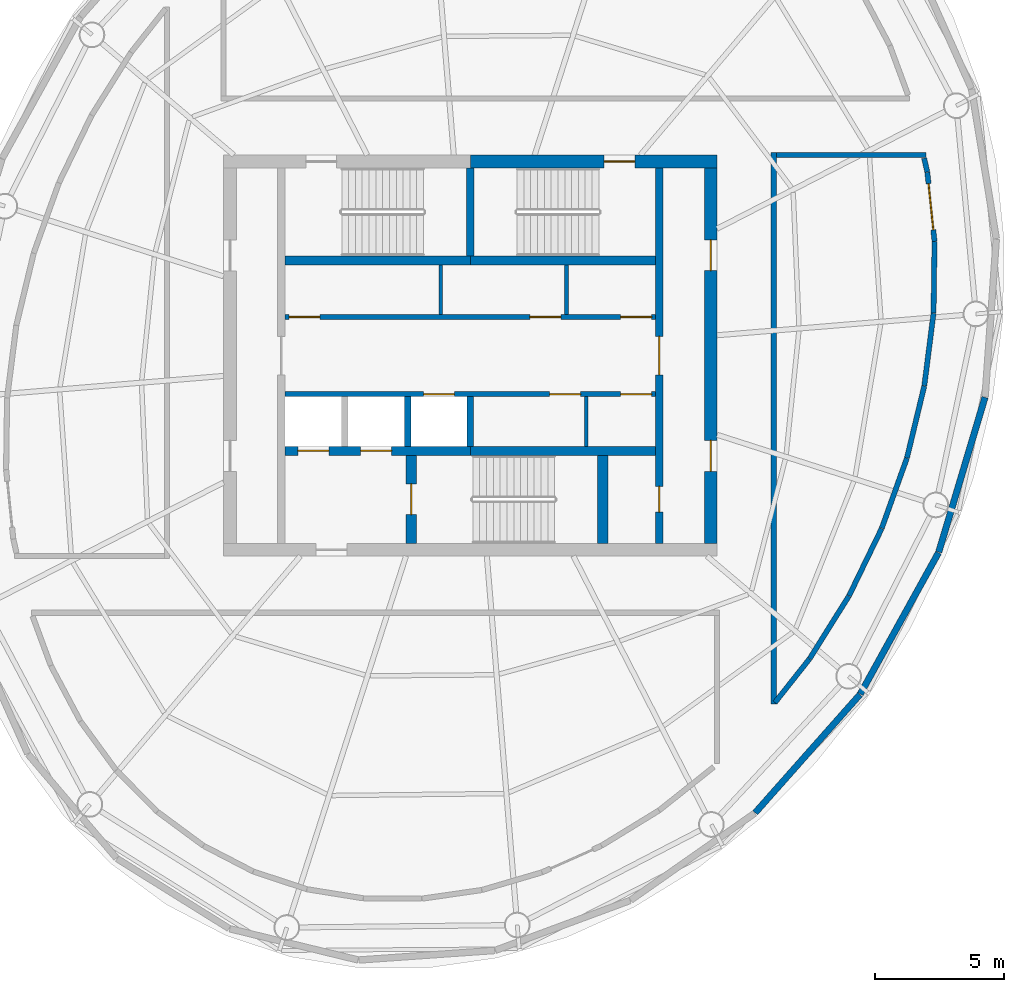
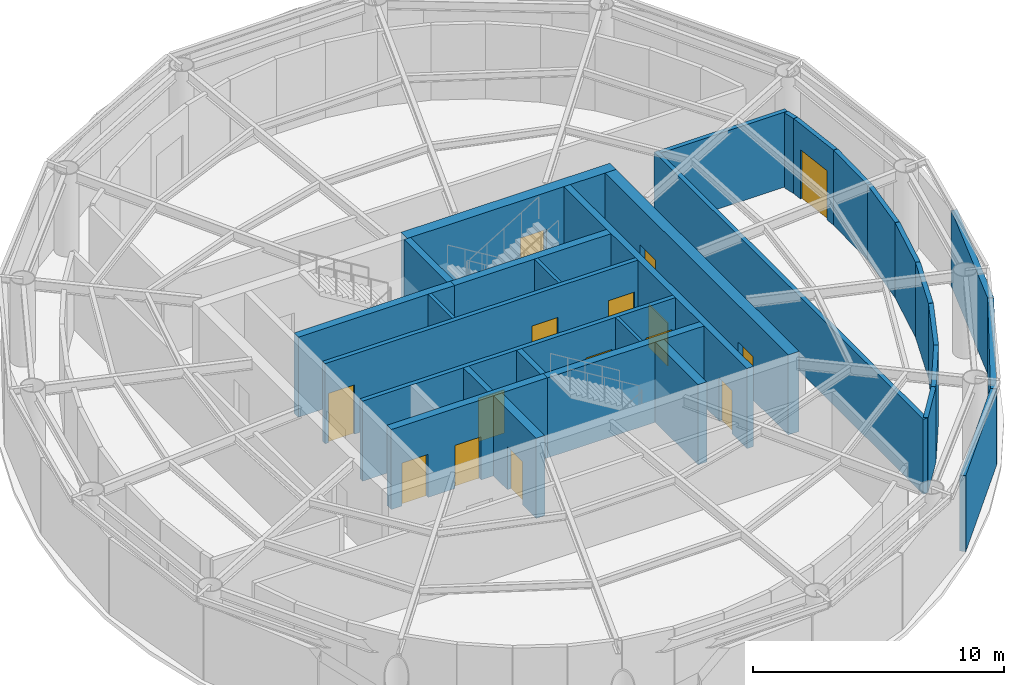
# One storey, part 4 of 6: 31 walls, 15 doors, 15 openings.
"""IFC4 building model written with IfcOpenShell, lengths in metres."""

from ifc_helpers import new_model, si_unit, direction, frame, frame_2d, origin, place, context, subcontext, project, spatial, rectangle, extrude, material, layer, layer_set, type_object, element, fill, save


model = new_model("IFC4")

# Units and contexts
model_context = context("Model", 3, precision=1e-05, world=origin(), true_north=direction((0.0, 1.0)))
body_context = subcontext(model_context, "Body", "Model", "MODEL_VIEW")
ifc_project = project(units=[si_unit("LENGTHUNIT", "METRE"), si_unit("AREAUNIT", "SQUARE_METRE"), si_unit("VOLUMEUNIT", "CUBIC_METRE"), si_unit("PLANEANGLEUNIT", "RADIAN"), si_unit("MASSUNIT", "GRAM", prefix="KILO")], contexts=[model_context])

# Site, building, storey
site_placement = place(None, origin())
site = spatial("IfcSite", under=ifc_project, at=site_placement, CompositionType="ELEMENT")
building_placement = place(site_placement, origin())
building = spatial("IfcBuilding", under=site, at=building_placement, Name="Vermilion Reach Broadcast Tower", CompositionType="ELEMENT")
storey_placement = place(building_placement, frame((0.0, 0.0, 312.89990234375)))
storey = spatial("IfcBuildingStorey", under=building, at=storey_placement, Name="L78 CROWN", CompositionType="ELEMENT", Elevation=312.89990234375)

# Wall, openings, doors
ifc_material_1 = material(Name="Concrete C50", Category="concrete")
ifc_layer_1 = layer(ifc_material_1, 0.300048828125)
ifc_layer_set_1 = layer_set([ifc_layer_1], Name="Core inner wall 300 mm Concrete C50")
wall_type_1 = type_object("IfcWallType", Name="Core inner wall 300 mm Concrete C50", PredefinedType="SHEAR", material=ifc_layer_set_1)
wall_1_placement = place(storey_placement, frame((1.35009765625, -7.300048828125, 0.0), z_axis=(0.0, 0.0, 1.0), x_axis=(0.0, 1.0, 0.0)))
wall_1 = element("IfcWall", 1, at=wall_1_placement, inside=storey, type_object=wall_type_1, Name="L78 CROWN core wall ewE", PredefinedType="SHEAR", context=body_context, shape_type="SweptSolid", body=[
    extrude(rectangle(XDim=14.60009765625, YDim=0.300048828125, at=frame_2d((7.300048828125, 0.0))), origin(), (0.0, 0.0, 1.0), 3.900146484375),
])
opening_1_placement = place(wall_1_placement, frame((1.2099609375, 0.0, 0.0)))
opening_1 = element("IfcOpeningElement", 2, at=opening_1_placement, cuts=wall_1, Name="Opening D05", PredefinedType="OPENING", context=body_context, shape_type="SweptSolid", body=[
    extrude(rectangle(XDim=1.0, YDim=2.10009765625, at=frame_2d((0.5, 1.050048828125))), frame((0.0, 0.159912109375, 0.0), z_axis=(0.0, -1.0, 0.0), x_axis=(1.0, 0.0, 0.0)), (0.0, 0.0, 1.0), 0.320068359375),
])
opening_2_placement = place(wall_1_placement, frame((6.550048828125, 0.0, 0.0)))
opening_2 = element("IfcOpeningElement", 3, at=opening_2_placement, cuts=wall_1, Name="Opening D04", PredefinedType="OPENING", context=body_context, shape_type="SweptSolid", body=[
    extrude(rectangle(XDim=1.5, YDim=2.10009765625, at=frame_2d((0.75, 1.050048828125))), frame((0.0, 0.159912109375, 0.0), z_axis=(0.0, -1.0, 0.0), x_axis=(1.0, 0.0, 0.0)), (0.0, 0.0, 1.0), 0.320068359375),
])
ifc_material_2 = material(Name="Painted steel fire door", Category="steel")
door_type_1 = type_object("IfcDoorType", Name="Lift lobby door 1500 x 2100", OperationType="DOUBLE_DOOR_SINGLE_SWING", PredefinedType="NOTDEFINED", material=ifc_material_2)
door_1_placement = place(opening_2_placement, origin())
door_1 = element("IfcDoor", 4, at=door_1_placement, inside=storey, type_object=door_type_1, Name="L78 CROWN band door BE", OperationType="DOUBLE_DOOR_SINGLE_SWING", OverallHeight=2.10009765625, OverallWidth=1.5, PredefinedType="NOTDEFINED", context=body_context, shape_type="SweptSolid", body=[
    extrude(rectangle(XDim=1.5, YDim=2.10009765625, at=frame_2d((0.75, 1.050048828125))), frame((0.0, 0.02490234375, 0.0), z_axis=(0.0, -1.0, 0.0), x_axis=(1.0, 0.0, 0.0)), (0.0, 0.0, 1.0), 0.050048828125),
])
fill(opening_2, door_1)
ifc_material_3 = material(Name="Timber door", Category="wood")
door_type_2 = type_object("IfcDoorType", Name="Room door 1000 x 2100", OperationType="NOTDEFINED", PredefinedType="NOTDEFINED", material=ifc_material_3)
door_2_placement = place(opening_1_placement, origin())
door_2 = element("IfcDoor", 5, at=door_2_placement, inside=storey, type_object=door_type_2, Name="L78 CROWN door SER", OperationType="SINGLE_SWING_LEFT", OverallHeight=2.10009765625, OverallWidth=1.0, PredefinedType="NOTDEFINED", context=body_context, shape_type="SweptSolid", body=[
    extrude(rectangle(XDim=1.0, YDim=2.10009765625, at=frame_2d((0.5, 1.050048828125))), frame((0.0, 0.02490234375, 0.0), z_axis=(0.0, -1.0, 0.0), x_axis=(1.0, 0.0, 0.0)), (0.0, 0.0, 1.0), 0.050048828125),
])
fill(opening_1, door_2)

# Walls
wall_2_placement = place(storey_placement, frame((-6.0, 3.8798828125, 0.0), z_axis=(0.0, 0.0, 1.0), x_axis=(0.0, 1.0, 0.0)))
element("IfcWall", 6, at=wall_2_placement, inside=storey, type_object=wall_type_1, Name="L78 CROWN core wall wc", PredefinedType="SHEAR", context=body_context, shape_type="SweptSolid", body=[
    extrude(rectangle(XDim=3.420166015625, YDim=0.300048828125, at=frame_2d((1.7099609375, 0.0))), origin(), (0.0, 0.0, 1.0), 3.900146484375),
])
ifc_material_4 = material(Name="Concrete C50", Category="concrete")
ifc_layer_2 = layer(ifc_material_4, 0.35009765625)
ifc_layer_set_2 = layer_set([ifc_layer_2], Name="Core inner wall 350 mm Concrete C50")
wall_type_2 = type_object("IfcWallType", Name="Core inner wall 350 mm Concrete C50", PredefinedType="SHEAR", material=ifc_layer_set_2)
for number, where, z_axis, x_axis, name in (
    (7, (-13.199951171875, 3.705078125, 0.0), (0.0, 0.0, 1.0), (1.0, 0.0, 0.0), "L78 CROWN core wall winW"),
    (8, (-6.0, 3.705078125, 0.0), (0.0, 0.0, 1.0), (1.0, 0.0, 0.0), "L78 CROWN core wall winE"),
):
    element("IfcWall", number, at=place(storey_placement, frame(where, z_axis=z_axis, x_axis=x_axis)), inside=storey, type_object=wall_type_2, Name=name, PredefinedType="SHEAR", context=body_context, shape_type="SweptSolid", body=[
        extrude(rectangle(XDim=7.199951171875, YDim=0.35009765625, at=frame_2d((3.60009765625, 0.0))), origin(), (0.0, 0.0, 1.0), 3.900146484375),
    ])

# Wall, openings, doors
wall_3_placement = place(storey_placement, frame((-13.199951171875, -3.705078125, 0.0), z_axis=(0.0, 0.0, 1.0), x_axis=(1.0, 0.0, 0.0)))
wall_3 = element("IfcWall", 9, at=wall_3_placement, inside=storey, type_object=wall_type_2, Name="L78 CROWN core wall wisW", PredefinedType="SHEAR", context=body_context, shape_type="SweptSolid", body=[
    extrude(rectangle(XDim=7.199951171875, YDim=0.35009765625, at=frame_2d((3.60009765625, 0.0))), origin(), (0.0, 0.0, 1.0), 3.900146484375),
])
opening_3_placement = place(wall_3_placement, frame((0.495849609375, 0.0, 0.0)))
opening_3 = element("IfcOpeningElement", 10, at=opening_3_placement, cuts=wall_3, Name="Opening LD1", PredefinedType="OPENING", context=body_context, shape_type="SweptSolid", body=[
    extrude(rectangle(XDim=1.199951171875, YDim=2.10009765625, at=frame_2d((0.60009765625, 1.050048828125))), frame((0.0, 0.18505859375, 0.0), z_axis=(0.0, -1.0, 0.0), x_axis=(1.0, 0.0, 0.0)), (0.0, 0.0, 1.0), 0.3701171875),
])
opening_4_placement = place(wall_3_placement, frame((2.9375, 0.0, 0.0)))
opening_4 = element("IfcOpeningElement", 11, at=opening_4_placement, cuts=wall_3, Name="Opening LD1", PredefinedType="OPENING", context=body_context, shape_type="SweptSolid", body=[
    extrude(rectangle(XDim=1.199951171875, YDim=2.10009765625, at=frame_2d((0.60009765625, 1.050048828125))), frame((0.0, 0.18505859375, 0.0), z_axis=(0.0, -1.0, 0.0), x_axis=(1.0, 0.0, 0.0)), (0.0, 0.0, 1.0), 0.3701171875),
])
ifc_material_5 = material(Name="Stainless steel", Category="steel")
door_type_3 = type_object("IfcDoorType", Name="Landing door 1200 x 2100", OperationType="DOUBLE_DOOR_SLIDING", PredefinedType="NOTDEFINED", material=ifc_material_5)
door_3_placement = place(opening_3_placement, origin())
door_3 = element("IfcDoor", 12, at=door_3_placement, inside=storey, type_object=door_type_3, Name="L78 CROWN landing door FF1", OperationType="DOUBLE_DOOR_SLIDING", OverallHeight=2.10009765625, OverallWidth=1.199951171875, PredefinedType="NOTDEFINED", context=body_context, shape_type="SweptSolid", body=[
    extrude(rectangle(XDim=1.199951171875, YDim=2.10009765625, at=frame_2d((0.60009765625, 1.050048828125))), frame((0.0, 0.02490234375, 0.0), z_axis=(0.0, -1.0, 0.0), x_axis=(1.0, 0.0, 0.0)), (0.0, 0.0, 1.0), 0.050048828125),
])
fill(opening_3, door_3)
door_4_placement = place(opening_4_placement, origin())
door_4 = element("IfcDoor", 13, at=door_4_placement, inside=storey, type_object=door_type_3, Name="L78 CROWN landing door FF2", OperationType="DOUBLE_DOOR_SLIDING", OverallHeight=2.10009765625, OverallWidth=1.199951171875, PredefinedType="NOTDEFINED", context=body_context, shape_type="SweptSolid", body=[
    extrude(rectangle(XDim=1.199951171875, YDim=2.10009765625, at=frame_2d((0.60009765625, 1.050048828125))), frame((0.0, 0.02490234375, 0.0), z_axis=(0.0, -1.0, 0.0), x_axis=(1.0, 0.0, 0.0)), (0.0, 0.0, 1.0), 0.050048828125),
])
fill(opening_4, door_4)

# Wall
wall_4_placement = place(storey_placement, frame((-6.0, -3.705078125, 0.0), z_axis=(0.0, 0.0, 1.0), x_axis=(1.0, 0.0, 0.0)))
element("IfcWall", 14, at=wall_4_placement, inside=storey, type_object=wall_type_2, Name="L78 CROWN core wall wisE", PredefinedType="SHEAR", context=body_context, shape_type="SweptSolid", body=[
    extrude(rectangle(XDim=7.199951171875, YDim=0.35009765625, at=frame_2d((3.60009765625, 0.0))), origin(), (0.0, 0.0, 1.0), 3.900146484375),
])

# Wall, opening, door
ifc_material_6 = material(Name="Concrete C50", Category="concrete")
ifc_layer_3 = layer(ifc_material_6, 0.39990234375)
ifc_layer_set_3 = layer_set([ifc_layer_3], Name="Core inner wall 400 mm Concrete C50")
wall_type_3 = type_object("IfcWallType", Name="Core inner wall 400 mm Concrete C50", PredefinedType="SHEAR", material=ifc_layer_set_3)
wall_5_placement = place(storey_placement, frame((-8.300048828125, -3.8798828125, 0.0), z_axis=(0.0, 0.0, 1.0), x_axis=(0.0, -1.0, 0.0)))
wall_5 = element("IfcWall", 15, at=wall_5_placement, inside=storey, type_object=wall_type_3, Name="L78 CROWN core wall wa", PredefinedType="SHEAR", context=body_context, shape_type="SweptSolid", body=[
    extrude(rectangle(XDim=3.420166015625, YDim=0.39990234375, at=frame_2d((1.7099609375, 0.0))), origin(), (0.0, 0.0, 1.0), 3.900146484375),
])
opening_5_placement = place(wall_5_placement, frame((1.110107421875, 0.0, 0.0)))
opening_5 = element("IfcOpeningElement", 16, at=opening_5_placement, cuts=wall_5, Name="Opening D01", PredefinedType="OPENING", context=body_context, shape_type="SweptSolid", body=[
    extrude(rectangle(XDim=1.199951171875, YDim=2.10009765625, at=frame_2d((0.60009765625, 1.050048828125))), frame((0.0, 0.2099609375, 0.0), z_axis=(0.0, -1.0, 0.0), x_axis=(1.0, 0.0, 0.0)), (0.0, 0.0, 1.0), 0.419921875),
])
ifc_material_7 = material(Name="Painted steel fire door", Category="steel")
door_type_4 = type_object("IfcDoorType", Name="Stair door 1200 x 2100", OperationType="DOUBLE_DOOR_SINGLE_SWING", PredefinedType="NOTDEFINED", material=ifc_material_7)
door_5_placement = place(opening_5_placement, origin())
door_5 = element("IfcDoor", 17, at=door_5_placement, inside=storey, type_object=door_type_4, Name="L78 CROWN stair door ST3", OperationType="DOUBLE_DOOR_SINGLE_SWING", OverallHeight=2.10009765625, OverallWidth=1.199951171875, PredefinedType="NOTDEFINED", context=body_context, shape_type="SweptSolid", body=[
    extrude(rectangle(XDim=1.199951171875, YDim=2.10009765625, at=frame_2d((0.60009765625, 1.050048828125))), frame((0.0, 0.02490234375, 0.0), z_axis=(0.0, -1.0, 0.0), x_axis=(1.0, 0.0, 0.0)), (0.0, 0.0, 1.0), 0.050048828125),
])
fill(opening_5, door_5)

# Wall
wall_6_placement = place(storey_placement, frame((-0.85009765625, -3.8798828125, 0.0), z_axis=(0.0, 0.0, 1.0), x_axis=(0.0, -1.0, 0.0)))
element("IfcWall", 18, at=wall_6_placement, inside=storey, type_object=wall_type_3, Name="L78 CROWN core wall wb", PredefinedType="SHEAR", context=body_context, shape_type="SweptSolid", body=[
    extrude(rectangle(XDim=3.420166015625, YDim=0.39990234375, at=frame_2d((1.7099609375, 0.0))), origin(), (0.0, 0.0, 1.0), 3.900146484375),
])

# Wall, opening, door
ifc_material_8 = material(Name="Concrete C50", Category="concrete")
ifc_layer_4 = layer(ifc_material_8, 0.5)
ifc_layer_set_4 = layer_set([ifc_layer_4], Name="Core outer wall 500 mm Concrete C50")
wall_type_4 = type_object("IfcWallType", Name="Core outer wall 500 mm Concrete C50", PredefinedType="SHEAR", material=ifc_layer_set_4)
wall_7_placement = place(storey_placement, frame((3.60009765625, 7.550048828125, 0.0), z_axis=(0.0, 0.0, 1.0), x_axis=(-1.0, 0.0, 0.0)))
wall_7 = element("IfcWall", 19, at=wall_7_placement, inside=storey, type_object=wall_type_4, Name="L78 CROWN core wall onE", PredefinedType="SHEAR", context=body_context, shape_type="SweptSolid", body=[
    extrude(rectangle(XDim=9.60009765625, YDim=0.5, at=frame_2d((4.800048828125, 0.0))), origin(), (0.0, 0.0, 1.0), 3.900146484375),
])
opening_6_placement = place(wall_7_placement, frame((3.199951171875, 0.0, 0.0)))
opening_6 = element("IfcOpeningElement", 20, at=opening_6_placement, cuts=wall_7, Name="Opening D01", PredefinedType="OPENING", context=body_context, shape_type="SweptSolid", body=[
    extrude(rectangle(XDim=1.199951171875, YDim=2.10009765625, at=frame_2d((0.60009765625, 1.050048828125))), frame((0.0, 0.260009765625, 0.0), z_axis=(0.0, -1.0, 0.0), x_axis=(1.0, 0.0, 0.0)), (0.0, 0.0, 1.0), 0.52001953125),
])
door_6_placement = place(opening_6_placement, origin())
door_6 = element("IfcDoor", 21, at=door_6_placement, inside=storey, type_object=door_type_4, Name="L78 CROWN stair door ST2", OperationType="DOUBLE_DOOR_SINGLE_SWING", OverallHeight=2.10009765625, OverallWidth=1.199951171875, PredefinedType="NOTDEFINED", context=body_context, shape_type="SweptSolid", body=[
    extrude(rectangle(XDim=1.199951171875, YDim=2.10009765625, at=frame_2d((0.60009765625, 1.050048828125))), frame((0.0, 0.02490234375, 0.0), z_axis=(0.0, -1.0, 0.0), x_axis=(1.0, 0.0, 0.0)), (0.0, 0.0, 1.0), 0.050048828125),
])
fill(opening_6, door_6)

# Wall, openings, doors
wall_8_placement = place(storey_placement, frame((3.35009765625, -7.300048828125, 0.0), z_axis=(0.0, 0.0, 1.0), x_axis=(0.0, 1.0, 0.0)))
wall_8 = element("IfcWall", 22, at=wall_8_placement, inside=storey, type_object=wall_type_4, Name="L78 CROWN core wall oe", PredefinedType="SHEAR", context=body_context, shape_type="SweptSolid", body=[
    extrude(rectangle(XDim=14.60009765625, YDim=0.5, at=frame_2d((7.300048828125, 0.0))), origin(), (0.0, 0.0, 1.0), 3.900146484375),
])
opening_7_placement = place(wall_8_placement, frame((2.800048828125, 0.0, 0.0)))
opening_7 = element("IfcOpeningElement", 23, at=opening_7_placement, cuts=wall_8, Name="Opening D03", PredefinedType="OPENING", context=body_context, shape_type="SweptSolid", body=[
    extrude(rectangle(XDim=1.199951171875, YDim=2.10009765625, at=frame_2d((0.60009765625, 1.050048828125))), frame((0.0, 0.260009765625, 0.0), z_axis=(0.0, -1.0, 0.0), x_axis=(1.0, 0.0, 0.0)), (0.0, 0.0, 1.0), 0.52001953125),
])
opening_8_placement = place(wall_8_placement, frame((10.60009765625, 0.0, 0.0)))
opening_8 = element("IfcOpeningElement", 24, at=opening_8_placement, cuts=wall_8, Name="Opening D03", PredefinedType="OPENING", context=body_context, shape_type="SweptSolid", body=[
    extrude(rectangle(XDim=1.199951171875, YDim=2.10009765625, at=frame_2d((0.60009765625, 1.050048828125))), frame((0.0, 0.260009765625, 0.0), z_axis=(0.0, -1.0, 0.0), x_axis=(1.0, 0.0, 0.0)), (0.0, 0.0, 1.0), 0.52001953125),
])
ifc_material_9 = material(Name="Painted steel fire door", Category="steel")
door_type_5 = type_object("IfcDoorType", Name="Core lobby door 1200 x 2100", OperationType="DOUBLE_DOOR_SINGLE_SWING", PredefinedType="NOTDEFINED", material=ifc_material_9)
door_7_placement = place(opening_7_placement, origin())
door_7 = element("IfcDoor", 25, at=door_7_placement, inside=storey, type_object=door_type_5, Name="L78 CROWN slot door E0", OperationType="DOUBLE_DOOR_SINGLE_SWING", OverallHeight=2.10009765625, OverallWidth=1.199951171875, PredefinedType="NOTDEFINED", context=body_context, shape_type="SweptSolid", body=[
    extrude(rectangle(XDim=1.199951171875, YDim=2.10009765625, at=frame_2d((0.60009765625, 1.050048828125))), frame((0.0, 0.02490234375, 0.0), z_axis=(0.0, -1.0, 0.0), x_axis=(1.0, 0.0, 0.0)), (0.0, 0.0, 1.0), 0.050048828125),
])
fill(opening_7, door_7)
door_8_placement = place(opening_8_placement, origin())
door_8 = element("IfcDoor", 26, at=door_8_placement, inside=storey, type_object=door_type_5, Name="L78 CROWN slot door E1", OperationType="DOUBLE_DOOR_SINGLE_SWING", OverallHeight=2.10009765625, OverallWidth=1.199951171875, PredefinedType="NOTDEFINED", context=body_context, shape_type="SweptSolid", body=[
    extrude(rectangle(XDim=1.199951171875, YDim=2.10009765625, at=frame_2d((0.60009765625, 1.050048828125))), frame((0.0, 0.02490234375, 0.0), z_axis=(0.0, -1.0, 0.0), x_axis=(1.0, 0.0, 0.0)), (0.0, 0.0, 1.0), 0.050048828125),
])
fill(opening_8, door_8)

# Walls
ifc_material_10 = material(Name="Masonry block", Category="masonry")
ifc_layer_5 = layer(ifc_material_10, 0.14990234375)
ifc_layer_set_5 = layer_set([ifc_layer_5], Name="Core partition wall 150 mm Masonry block")
wall_type_5 = type_object("IfcWallType", Name="Core partition wall 150 mm Masonry block", PredefinedType="PARTITIONING", material=ifc_layer_set_5)
for number, where, z_axis, x_axis, name in (
    (27, (-7.152099609375, 1.60009765625, 0.0), (0.0, 0.0, 1.0), (0.0, 1.0, 0.0), "L78 CROWN core wall prN-1152"),
    (28, (-2.256103515625, 1.60009765625, 0.0), (0.0, 0.0, 1.0), (0.0, 1.0, 0.0), "L78 CROWN core wall prN3744"),
    (29, (-1.488525390625, -1.60009765625, 0.0), (0.0, 0.0, 1.0), (0.0, -1.0, 0.0), "L78 CROWN core wall prS4512"),
):
    element("IfcWall", number, at=place(storey_placement, frame(where, z_axis=z_axis, x_axis=x_axis)), inside=storey, type_object=wall_type_5, Name=name, PredefinedType="PARTITIONING", context=body_context, shape_type="SweptSolid", body=[
        extrude(rectangle(XDim=1.929931640625, YDim=0.14990234375, at=frame_2d((0.96484375, 0.0))), origin(), (0.0, 0.0, 1.0), 3.900146484375),
    ])

# Wall, openings, doors
ifc_material_11 = material(Name="Concrete C50", Category="concrete")
ifc_layer_6 = layer(ifc_material_11, 0.199951171875)
ifc_layer_set_6 = layer_set([ifc_layer_6], Name="Core shaft wall 200 mm Concrete C50")
wall_type_6 = type_object("IfcWallType", Name="Core shaft wall 200 mm Concrete C50", PredefinedType="SHEAR", material=ifc_layer_set_6)
wall_9_placement = place(storey_placement, frame((-13.199951171875, 1.5, 0.0), z_axis=(0.0, 0.0, 1.0), x_axis=(1.0, 0.0, 0.0)))
wall_9 = element("IfcWall", 30, at=wall_9_placement, inside=storey, type_object=wall_type_6, Name="L78 CROWN core wall fn", PredefinedType="SHEAR", context=body_context, shape_type="SweptSolid", body=[
    extrude(rectangle(XDim=14.39990234375, YDim=0.199951171875, at=frame_2d((7.199951171875, 0.0))), origin(), (0.0, 0.0, 1.0), 3.900146484375),
])
opening_9_placement = place(wall_9_placement, frame((0.14990234375, 0.0, 0.0)))
opening_9 = element("IfcOpeningElement", 31, at=opening_9_placement, cuts=wall_9, Name="Opening D09", PredefinedType="OPENING", context=body_context, shape_type="SweptSolid", body=[
    extrude(rectangle(XDim=1.199951171875, YDim=2.39990234375, at=frame_2d((0.60009765625, 1.199951171875))), frame((0.0, 0.10986328125, 0.0), z_axis=(0.0, -1.0, 0.0), x_axis=(1.0, 0.0, 0.0)), (0.0, 0.0, 1.0), 0.219970703125),
])
opening_10_placement = place(wall_9_placement, frame((9.51904296875, 0.0, 0.0)))
opening_10 = element("IfcOpeningElement", 32, at=opening_10_placement, cuts=wall_9, Name="Opening D09", PredefinedType="OPENING", context=body_context, shape_type="SweptSolid", body=[
    extrude(rectangle(XDim=1.199951171875, YDim=2.39990234375, at=frame_2d((0.60009765625, 1.199951171875))), frame((0.0, 0.10986328125, 0.0), z_axis=(0.0, -1.0, 0.0), x_axis=(1.0, 0.0, 0.0)), (0.0, 0.0, 1.0), 0.219970703125),
])
opening_11_placement = place(wall_9_placement, frame((13.050048828125, 0.0, 0.0)))
opening_11 = element("IfcOpeningElement", 33, at=opening_11_placement, cuts=wall_9, Name="Opening D09", PredefinedType="OPENING", context=body_context, shape_type="SweptSolid", body=[
    extrude(rectangle(XDim=1.199951171875, YDim=2.39990234375, at=frame_2d((0.60009765625, 1.199951171875))), frame((0.0, 0.10986328125, 0.0), z_axis=(0.0, -1.0, 0.0), x_axis=(1.0, 0.0, 0.0)), (0.0, 0.0, 1.0), 0.219970703125),
])
ifc_material_12 = material(Name="Painted steel fire door", Category="steel")
door_type_6 = type_object("IfcDoorType", Name="Plant room door 1200 x 2400", OperationType="DOUBLE_DOOR_SINGLE_SWING", PredefinedType="NOTDEFINED", material=ifc_material_12)
door_9_placement = place(opening_9_placement, origin())
door_9 = element("IfcDoor", 34, at=door_9_placement, inside=storey, type_object=door_type_6, Name="L78 CROWN door Plant room", OperationType="DOUBLE_DOOR_SINGLE_SWING", OverallHeight=2.39990234375, OverallWidth=1.199951171875, PredefinedType="NOTDEFINED", context=body_context, shape_type="SweptSolid", body=[
    extrude(rectangle(XDim=1.199951171875, YDim=2.39990234375, at=frame_2d((0.60009765625, 1.199951171875))), frame((0.0, 0.02490234375, 0.0), z_axis=(0.0, -1.0, 0.0), x_axis=(1.0, 0.0, 0.0)), (0.0, 0.0, 1.0), 0.050048828125),
])
fill(opening_9, door_9)
door_10_placement = place(opening_10_placement, origin())
door_10 = element("IfcDoor", 35, at=door_10_placement, inside=storey, type_object=door_type_6, Name="L78 CROWN door Plant room", OperationType="DOUBLE_DOOR_SINGLE_SWING", OverallHeight=2.39990234375, OverallWidth=1.199951171875, PredefinedType="NOTDEFINED", context=body_context, shape_type="SweptSolid", body=[
    extrude(rectangle(XDim=1.199951171875, YDim=2.39990234375, at=frame_2d((0.60009765625, 1.199951171875))), frame((0.0, 0.02490234375, 0.0), z_axis=(0.0, -1.0, 0.0), x_axis=(1.0, 0.0, 0.0)), (0.0, 0.0, 1.0), 0.050048828125),
])
fill(opening_10, door_10)
door_11_placement = place(opening_11_placement, origin())
door_11 = element("IfcDoor", 36, at=door_11_placement, inside=storey, type_object=door_type_6, Name="L78 CROWN door Plant room", OperationType="DOUBLE_DOOR_SINGLE_SWING", OverallHeight=2.39990234375, OverallWidth=1.199951171875, PredefinedType="NOTDEFINED", context=body_context, shape_type="SweptSolid", body=[
    extrude(rectangle(XDim=1.199951171875, YDim=2.39990234375, at=frame_2d((0.60009765625, 1.199951171875))), frame((0.0, 0.02490234375, 0.0), z_axis=(0.0, -1.0, 0.0), x_axis=(1.0, 0.0, 0.0)), (0.0, 0.0, 1.0), 0.050048828125),
])
fill(opening_11, door_11)

wall_10_placement = place(storey_placement, frame((1.199951171875, -1.5, 0.0), z_axis=(0.0, 0.0, 1.0), x_axis=(-1.0, 0.0, 0.0)))
wall_10 = element("IfcWall", 37, at=wall_10_placement, inside=storey, type_object=wall_type_6, Name="L78 CROWN core wall fs", PredefinedType="SHEAR", context=body_context, shape_type="SweptSolid", body=[
    extrude(rectangle(XDim=14.39990234375, YDim=0.199951171875, at=frame_2d((7.199951171875, 0.0))), origin(), (0.0, 0.0, 1.0), 3.900146484375),
])
opening_12_placement = place(wall_10_placement, frame((7.82080078125, 0.0, 0.0)))
opening_12 = element("IfcOpeningElement", 38, at=opening_12_placement, cuts=wall_10, Name="Opening LD1", PredefinedType="OPENING", context=body_context, shape_type="SweptSolid", body=[
    extrude(rectangle(XDim=1.199951171875, YDim=2.10009765625, at=frame_2d((0.60009765625, 1.050048828125))), frame((0.0, 0.10986328125, 0.0), z_axis=(0.0, -1.0, 0.0), x_axis=(1.0, 0.0, 0.0)), (0.0, 0.0, 1.0), 0.219970703125),
])
opening_13_placement = place(wall_10_placement, frame((2.91357421875, 0.0, 0.0)))
opening_13 = element("IfcOpeningElement", 39, at=opening_13_placement, cuts=wall_10, Name="Opening D09", PredefinedType="OPENING", context=body_context, shape_type="SweptSolid", body=[
    extrude(rectangle(XDim=1.199951171875, YDim=2.39990234375, at=frame_2d((0.60009765625, 1.199951171875))), frame((0.0, 0.10986328125, 0.0), z_axis=(0.0, -1.0, 0.0), x_axis=(1.0, 0.0, 0.0)), (0.0, 0.0, 1.0), 0.219970703125),
])
opening_14_placement = place(wall_10_placement, frame((0.14990234375, 0.0, 0.0)))
opening_14 = element("IfcOpeningElement", 40, at=opening_14_placement, cuts=wall_10, Name="Opening D09", PredefinedType="OPENING", context=body_context, shape_type="SweptSolid", body=[
    extrude(rectangle(XDim=1.199951171875, YDim=2.39990234375, at=frame_2d((0.60009765625, 1.199951171875))), frame((0.0, 0.10986328125, 0.0), z_axis=(0.0, -1.0, 0.0), x_axis=(1.0, 0.0, 0.0)), (0.0, 0.0, 1.0), 0.219970703125),
])
door_12_placement = place(opening_12_placement, origin())
door_12 = element("IfcDoor", 41, at=door_12_placement, inside=storey, type_object=door_type_3, Name="L78 CROWN landing door SV1", OperationType="DOUBLE_DOOR_SLIDING", OverallHeight=2.10009765625, OverallWidth=1.199951171875, PredefinedType="NOTDEFINED", context=body_context, shape_type="SweptSolid", body=[
    extrude(rectangle(XDim=1.199951171875, YDim=2.10009765625, at=frame_2d((0.60009765625, 1.050048828125))), frame((0.0, 0.02490234375, 0.0), z_axis=(0.0, -1.0, 0.0), x_axis=(1.0, 0.0, 0.0)), (0.0, 0.0, 1.0), 0.050048828125),
])
fill(opening_12, door_12)
door_13_placement = place(opening_13_placement, origin())
door_13 = element("IfcDoor", 42, at=door_13_placement, inside=storey, type_object=door_type_6, Name="L78 CROWN door Plant room", OperationType="DOUBLE_DOOR_SINGLE_SWING", OverallHeight=2.39990234375, OverallWidth=1.199951171875, PredefinedType="NOTDEFINED", context=body_context, shape_type="SweptSolid", body=[
    extrude(rectangle(XDim=1.199951171875, YDim=2.39990234375, at=frame_2d((0.60009765625, 1.199951171875))), frame((0.0, 0.02490234375, 0.0), z_axis=(0.0, -1.0, 0.0), x_axis=(1.0, 0.0, 0.0)), (0.0, 0.0, 1.0), 0.050048828125),
])
fill(opening_13, door_13)
door_14_placement = place(opening_14_placement, origin())
door_14 = element("IfcDoor", 43, at=door_14_placement, inside=storey, type_object=door_type_6, Name="L78 CROWN door Plant room", OperationType="DOUBLE_DOOR_SINGLE_SWING", OverallHeight=2.39990234375, OverallWidth=1.199951171875, PredefinedType="NOTDEFINED", context=body_context, shape_type="SweptSolid", body=[
    extrude(rectangle(XDim=1.199951171875, YDim=2.39990234375, at=frame_2d((0.60009765625, 1.199951171875))), frame((0.0, 0.02490234375, 0.0), z_axis=(0.0, -1.0, 0.0), x_axis=(1.0, 0.0, 0.0)), (0.0, 0.0, 1.0), 0.050048828125),
])
fill(opening_14, door_14)

# Walls
ifc_material_13 = material(Name="Concrete C50", Category="concrete")
ifc_layer_7 = layer(ifc_material_13, 0.25)
ifc_layer_set_7 = layer_set([ifc_layer_7], Name="Core shaft wall 250 mm Concrete C50")
wall_type_7 = type_object("IfcWallType", Name="Core shaft wall 250 mm Concrete C50", PredefinedType="SHEAR", material=ifc_layer_set_7)
for number, where, z_axis, x_axis, name in (
    (44, (-8.441650390625, -1.60009765625, 0.0), (0.0, 0.0, 1.0), (0.0, -1.0, 0.0), "L78 CROWN core wall psS1"),
    (45, (-6.0, -1.60009765625, 0.0), (0.0, 0.0, 1.0), (0.0, -1.0, 0.0), "L78 CROWN core wall psS2"),
):
    element("IfcWall", number, at=place(storey_placement, frame(where, z_axis=z_axis, x_axis=x_axis)), inside=storey, type_object=wall_type_7, Name=name, PredefinedType="SHEAR", context=body_context, shape_type="SweptSolid", body=[
        extrude(rectangle(XDim=1.929931640625, YDim=0.25, at=frame_2d((0.96484375, 0.0))), origin(), (0.0, 0.0, 1.0), 3.900146484375),
    ])
ifc_material_14 = material(Name="Anodised aluminium louvre cladding", Category="aluminium")
ifc_layer_8 = layer(ifc_material_14, 0.25)
ifc_layer_set_8 = layer_set([ifc_layer_8], Name="Plant louvre wall 250, head 300 below soffit")
wall_type_8 = type_object("IfcWallType", Name="Plant louvre wall 250, head 300 below soffit", PredefinedType="SOLIDWALL", material=ifc_layer_set_8)
wall_11_placement = place(storey_placement, frame((5.081298828125, -17.781494140625, 0.0), z_axis=(0.0, 0.0, 1.0), x_axis=(0.663232601491, 0.748413332537, 0.0)))
element("IfcWall", 46, at=wall_11_placement, inside=storey, type_object=wall_type_8, Name="Louvre wall L78 CROWN 17", PredefinedType="SOLIDWALL", context=body_context, shape_type="SweptSolid", body=[
    extrude(rectangle(XDim=6.139404296875, YDim=0.25, at=frame_2d((3.06982421875, 0.0))), origin(), (0.0, 0.0, 1.0), 3.7001953125),
])
for number, where, z_axis, x_axis, name in (
    (47, (9.168701171875, -13.164794921875, 0.0), (0.0, 0.0, 1.0), (0.484124074201, 0.874999360445, 0.0), "Louvre wall L78 CROWN 18"),
    (48, (12.2197265625, -7.64453125, 0.0), (0.0, 0.0, 1.0), (0.286431283473, 0.958100787938, 0.0), "Louvre wall L78 CROWN 19"),
):
    element("IfcWall", number, at=place(storey_placement, frame(where, z_axis=z_axis, x_axis=x_axis)), inside=storey, type_object=wall_type_8, Name=name, PredefinedType="SOLIDWALL", context=body_context, shape_type="SweptSolid", body=[
        extrude(rectangle(XDim=6.281005859375, YDim=0.25, at=frame_2d((3.140625, 0.0))), origin(), (0.0, 0.0, 1.0), 3.7001953125),
    ])
ifc_material_15 = material(Name="Gypsum board shaft wall")
ifc_layer_9 = layer(ifc_material_15, 0.199951171875)
ifc_layer_set_9 = layer_set([ifc_layer_9], Name="Plant room wall 200")
wall_type_9 = type_object("IfcWallType", Name="Plant room wall 200", PredefinedType="PARTITIONING", material=ifc_layer_set_9)
wall_12_placement = place(storey_placement, frame((5.800048828125, -13.5576171875, 0.0), z_axis=(0.0, 0.0, 1.0), x_axis=(0.0, 1.0, 0.0)))
element("IfcWall", 49, at=wall_12_placement, inside=storey, type_object=wall_type_9, Name="sp.wall.L78 CROWN.003", PredefinedType="PARTITIONING", context=body_context, shape_type="SweptSolid", body=[
    extrude(rectangle(XDim=21.457763671875, YDim=0.199951171875, at=frame_2d((10.72900390625, 0.0))), origin(), (0.0, 0.0, 1.0), 3.650146484375),
])
wall_13_placement = place(storey_placement, frame((5.89990234375, 7.800048828125, 0.0), z_axis=(0.0, 0.0, 1.0), x_axis=(1.0, 0.0, 0.0)))
element("IfcWall", 50, at=wall_13_placement, inside=storey, type_object=wall_type_9, Name="sp.wall.L78 CROWN.005", PredefinedType="PARTITIONING", context=body_context, shape_type="SweptSolid", body=[
    extrude(rectangle(XDim=5.82373046875, YDim=0.199951171875, at=frame_2d((2.911865234375, 0.0))), origin(), (0.0, 0.0, 1.0), 3.650146484375),
])
wall_14_placement = place(storey_placement, frame((12.017822265625, 1.655517578125, 0.0), z_axis=(0.0, 0.0, 1.0), x_axis=(0.013897320686, 0.999903427576, 0.0)))
element("IfcWall", 51, at=wall_14_placement, inside=storey, type_object=wall_type_9, Name="sp.wall.L78 CROWN.045", PredefinedType="PARTITIONING", context=body_context, shape_type="SweptSolid", body=[
    extrude(rectangle(XDim=2.775634765625, YDim=0.199951171875, at=frame_2d((1.3876953125, 0.0))), origin(), (0.0, 0.0, 1.0), 3.650146484375),
])
wall_15_placement = place(storey_placement, frame((11.659423828125, -1.1689453125, 0.0), z_axis=(0.0, 0.0, 1.0), x_axis=(0.126302032537, 0.991991832919, 0.0)))
element("IfcWall", 52, at=wall_15_placement, inside=storey, type_object=wall_type_9, Name="sp.wall.L78 CROWN.046", PredefinedType="PARTITIONING", context=body_context, shape_type="SweptSolid", body=[
    extrude(rectangle(XDim=2.835693359375, YDim=0.199951171875, at=frame_2d((1.41796875, 0.0))), origin(), (0.0, 0.0, 1.0), 3.650146484375),
])
wall_16_placement = place(storey_placement, frame((10.984375, -3.976806640625, 0.0), z_axis=(0.0, 0.0, 1.0), x_axis=(0.234120678443, 0.972207543648, 0.0)))
element("IfcWall", 53, at=wall_16_placement, inside=storey, type_object=wall_type_9, Name="sp.wall.L78 CROWN.047", PredefinedType="PARTITIONING", context=body_context, shape_type="SweptSolid", body=[
    extrude(rectangle(XDim=2.877197265625, YDim=0.199951171875, at=frame_2d((1.4384765625, 0.0))), origin(), (0.0, 0.0, 1.0), 3.650146484375),
])
wall_17_placement = place(storey_placement, frame((10.003662109375, -6.715576171875, 0.0), z_axis=(0.0, 0.0, 1.0), x_axis=(0.337478197562, 0.941333344873, 0.0)))
element("IfcWall", 54, at=wall_17_placement, inside=storey, type_object=wall_type_9, Name="sp.wall.L78 CROWN.048", PredefinedType="PARTITIONING", context=body_context, shape_type="SweptSolid", body=[
    extrude(rectangle(XDim=2.89794921875, YDim=0.199951171875, at=frame_2d((1.448974609375, 0.0))), origin(), (0.0, 0.0, 1.0), 3.650146484375),
])
wall_18_placement = place(storey_placement, frame((8.73046875, -9.34326171875, 0.0), z_axis=(0.0, 0.0, 1.0), x_axis=(0.436405284506, 0.89975020292, 0.0)))
element("IfcWall", 55, at=wall_18_placement, inside=storey, type_object=wall_type_9, Name="sp.wall.L78 CROWN.049", PredefinedType="PARTITIONING", context=body_context, shape_type="SweptSolid", body=[
    extrude(rectangle(XDim=2.9091796875, YDim=0.199951171875, at=frame_2d((1.45458984375, 0.0))), origin(), (0.0, 0.0, 1.0), 3.650146484375),
])
wall_19_placement = place(storey_placement, frame((7.197509765625, -11.790771484375, 0.0), z_axis=(0.0, 0.0, 1.0), x_axis=(0.530761457751, 0.847521253401, 0.0)))
element("IfcWall", 56, at=wall_19_placement, inside=storey, type_object=wall_type_9, Name="sp.wall.L78 CROWN.050", PredefinedType="PARTITIONING", context=body_context, shape_type="SweptSolid", body=[
    extrude(rectangle(XDim=2.877197265625, YDim=0.199951171875, at=frame_2d((1.4384765625, 0.0))), origin(), (0.0, 0.0, 1.0), 3.650146484375),
])
wall_20_placement = place(storey_placement, frame((5.84912109375, -13.49560546875, 0.0), z_axis=(0.0, 0.0, 1.0), x_axis=(0.620321195124, 0.784347891487, 0.0)))
element("IfcWall", 57, at=wall_20_placement, inside=storey, type_object=wall_type_9, Name="sp.wall.L78 CROWN.051", PredefinedType="PARTITIONING", context=body_context, shape_type="SweptSolid", body=[
    extrude(rectangle(XDim=2.16259765625, YDim=0.199951171875, at=frame_2d((1.081298828125, 0.0))), origin(), (0.0, 0.0, 1.0), 3.650146484375),
])
wall_21_placement = place(storey_placement, frame((11.651611328125, 7.677734375, 0.0), z_axis=(0.0, 0.0, 1.0), x_axis=(0.2234024776, -0.974726286196, 0.0)))
element("IfcWall", 58, at=wall_21_placement, inside=storey, type_object=wall_type_9, Name="sp.wall.L78 CROWN.052", PredefinedType="PARTITIONING", context=body_context, shape_type="SweptSolid", body=[
    extrude(rectangle(XDim=0.55078125, YDim=0.199951171875, at=frame_2d((0.275390625, 0.0))), origin(), (0.0, 0.0, 1.0), 3.650146484375),
])

# Wall, opening, door
wall_22_placement = place(storey_placement, frame((12.05517578125, 4.442626953125, 0.0), z_axis=(0.0, 0.0, 1.0), x_axis=(-0.102877560919, 0.994694027055, 0.0)))
wall_22 = element("IfcWall", 59, at=wall_22_placement, inside=storey, type_object=wall_type_9, Name="sp.wall.L78 CROWN.053", PredefinedType="PARTITIONING", context=body_context, shape_type="SweptSolid", body=[
    extrude(rectangle(XDim=2.70068359375, YDim=0.199951171875, at=frame_2d((1.350341796875, 0.0))), origin(), (0.0, 0.0, 1.0), 3.650146484375),
])
opening_15_placement = place(wall_22_placement, frame((0.4501953125, 0.0, 0.0)))
opening_15 = element("IfcOpeningElement", 60, at=opening_15_placement, cuts=wall_22, Name="Opening D53", PredefinedType="OPENING", context=body_context, shape_type="SweptSolid", body=[
    extrude(rectangle(XDim=1.800048828125, YDim=2.39990234375, at=frame_2d((0.89990234375, 1.199951171875))), frame((0.0, 0.10986328125, 0.0), z_axis=(0.0, -1.0, 0.0), x_axis=(1.0, 0.0, 0.0)), (0.0, 0.0, 1.0), 0.219970703125),
])
ifc_material_16 = material(Name="Timber and steel door set", Category="steel")
door_type_7 = type_object("IfcDoorType", Name="Plant double door 1800x2400", OperationType="NOTDEFINED", PredefinedType="DOOR", material=ifc_material_16)
door_15_placement = place(opening_15_placement, origin())
door_15 = element("IfcDoor", 61, at=door_15_placement, inside=storey, type_object=door_type_7, Name="sp.door.L78 CROWN.003", OperationType="DOUBLE_DOOR_SINGLE_SWING", OverallHeight=2.39990234375, OverallWidth=1.800048828125, PredefinedType="DOOR", context=body_context, shape_type="SweptSolid", body=[
    extrude(rectangle(XDim=1.800048828125, YDim=2.39990234375, at=frame_2d((0.89990234375, 1.199951171875))), frame((0.0, 0.02490234375, 0.0), z_axis=(0.0, -1.0, 0.0), x_axis=(1.0, 0.0, 0.0)), (0.0, 0.0, 1.0), 0.050048828125),
])
fill(opening_15, door_15)

save(model, "model.ifc")
